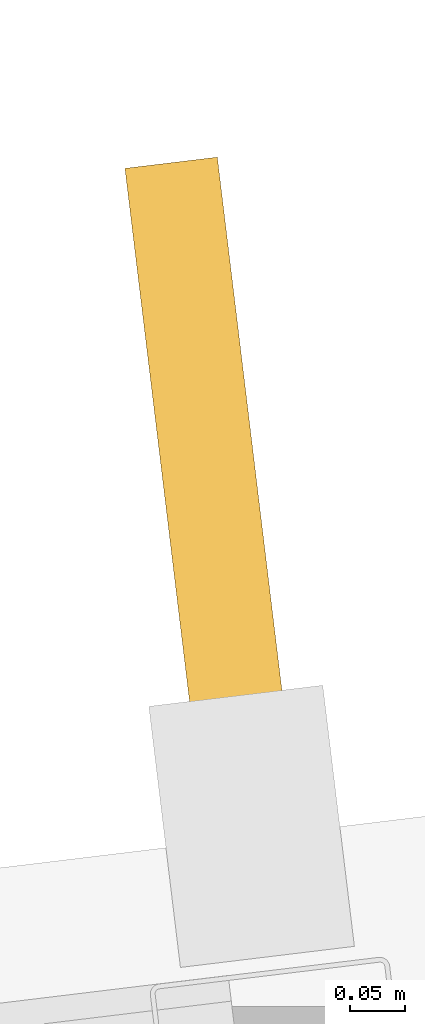
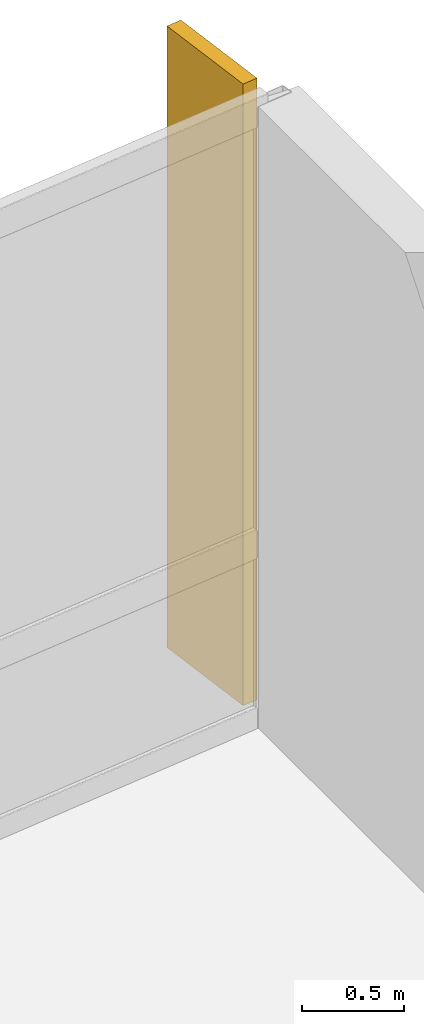
# One storey, part 18 of 18: 1 shading device.
"""IFC4 building model written with IfcOpenShell, lengths in metres."""

from ifc_helpers import new_model, si_unit, direction, frame, origin, origin_2d, place, context, subcontext, project, spatial, rectangle, extrude, material, layer, layer_set, type_object, element, save


model = new_model("IFC4")

# Units and contexts
model_context = context("Model", 3, precision=1e-05, world=origin(), true_north=direction((0.0, 1.0)))
body_context = subcontext(model_context, "Body", "Model", "MODEL_VIEW")
ifc_project = project(units=[si_unit("LENGTHUNIT", "METRE"), si_unit("AREAUNIT", "SQUARE_METRE"), si_unit("VOLUMEUNIT", "CUBIC_METRE"), si_unit("PLANEANGLEUNIT", "RADIAN"), si_unit("MASSUNIT", "GRAM", prefix="KILO")], contexts=[model_context])

# Site, building, storey
site_placement = place(None, origin())
site = spatial("IfcSite", under=ifc_project, at=site_placement, CompositionType="ELEMENT")
building_placement = place(site_placement, origin())
building = spatial("IfcBuilding", under=site, at=building_placement, Name="Varnakote Quay Hospital", CompositionType="ELEMENT")
storey_placement = place(building_placement, frame((0.0, 0.0, 107.300048828125)))
storey = spatial("IfcBuildingStorey", under=building, at=storey_placement, Name="L26", CompositionType="ELEMENT", Elevation=107.300048828125)

# Shading device
ifc_material = material(Name="Anodised aluminium 6063-T6 Bronze", Category="aluminium")
ifc_layer = layer(ifc_material, 0.0849609375)
ifc_layer_set = layer_set([ifc_layer], Name="Anodised aluminium 6063-T6 Bronze")
shading_device_type = type_object("IfcShadingDeviceType", Name="SHD-BRONZE-FIN-620", PredefinedType="USERDEFINED", material=ifc_layer_set)
shading_device_placement = place(storey_placement, frame((53.9462890625, 33.381591796875, 0.0), z_axis=(0.0, 0.0, 1.0), x_axis=(0.120310105847, -0.992736358975, 0.0)))
element("IfcShadingDevice", 1, at=shading_device_placement, inside=storey, type_object=shading_device_type, Name="L26 Anodised Bronze Vertical Shading FIN", ObjectType="FIN", PredefinedType="USERDEFINED", context=body_context, shape_type="SweptSolid", body=[
    extrude(rectangle(XDim=0.6201171875, YDim=0.0849609375, at=origin_2d()), origin(), (0.0, 0.0, 1.0), 3.7099609375),
])

save(model, "model.ifc")
